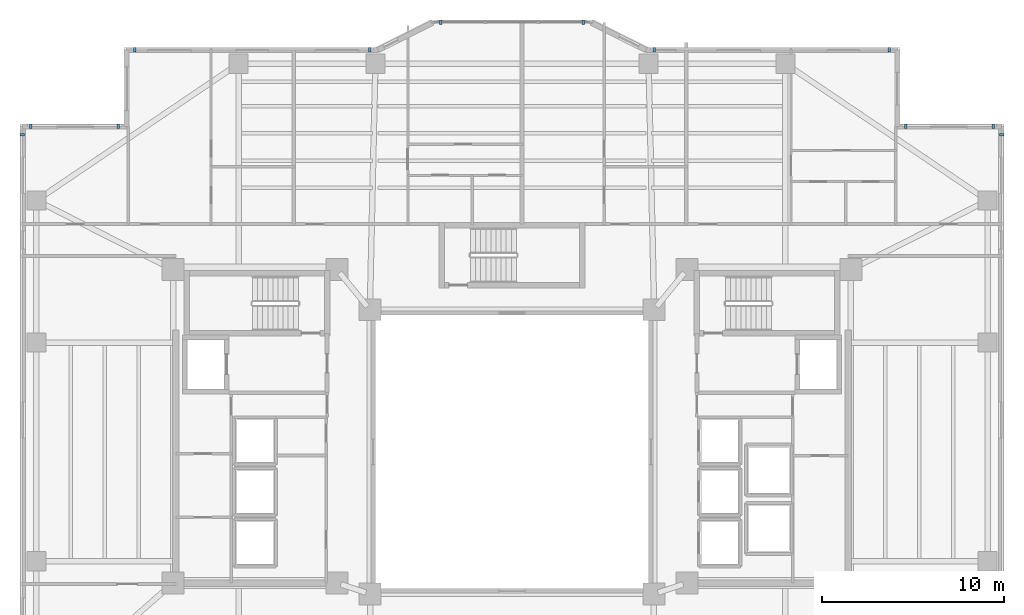
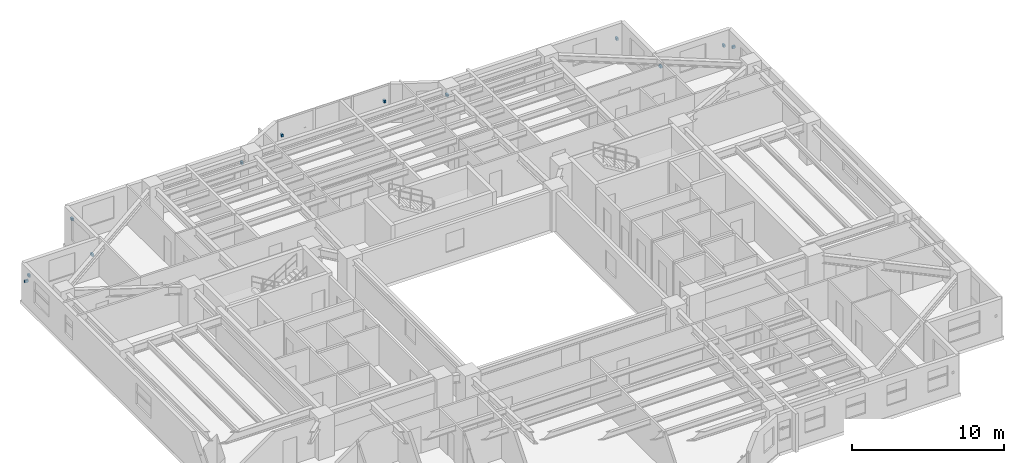
# One storey, part 13 of 18: 12 discrete accessories.
"""IFC4 building model written with IfcOpenShell, lengths in metres."""

from ifc_helpers import new_model, si_unit, direction, frame, origin, origin_2d, place, context, subcontext, project, spatial, rectangle, extrude, material, type_object, element, save


model = new_model("IFC4")

# Units and contexts
model_context = context("Model", 3, precision=1e-05, world=origin(), true_north=direction((0.0, 1.0)))
body_context = subcontext(model_context, "Body", "Model", "MODEL_VIEW")
ifc_project = project(units=[si_unit("LENGTHUNIT", "METRE"), si_unit("AREAUNIT", "SQUARE_METRE"), si_unit("VOLUMEUNIT", "CUBIC_METRE"), si_unit("PLANEANGLEUNIT", "RADIAN"), si_unit("MASSUNIT", "GRAM", prefix="KILO")], contexts=[model_context])

# Site, building, storey
site_placement = place(None, origin())
site = spatial("IfcSite", under=ifc_project, at=site_placement, CompositionType="ELEMENT")
building_placement = place(site_placement, origin())
building = spatial("IfcBuilding", under=site, at=building_placement, Name="Tarnavaz Court Tower", CompositionType="ELEMENT")
storey_placement = place(building_placement, frame((0.0, 0.0, 101.75)))
storey = spatial("IfcBuildingStorey", under=building, at=storey_placement, Name="L27", CompositionType="ELEMENT", Elevation=101.75)

# Discrete accessories
ifc_material = material(Name="Anodised Aluminium 6063-T6", Category="aluminium")
discrete_accessory_type = type_object("IfcDiscreteAccessoryType", Name="DA-BRKT-ALU", PredefinedType="BRACKET", material=ifc_material)
for number, where, z_axis, x_axis, name in (
    (1, (-26.8701171875, 17.39990234375, 1.75), (0.0, 0.0, 1.0), (0.0, 1.0, 0.0), "L27 Baguette Outrigger Bracket FBG02-2"),
    (2, (-26.39990234375, 17.8701171875, 1.75), (0.0, 0.0, 1.0), (1.0, 0.0, 0.0), "L27 Baguette Outrigger Bracket FBG03-1"),
    (3, (-21.60009765625, 17.8701171875, 1.75), (0.0, 0.0, 1.0), (1.0, 0.0, 0.0), "L27 Baguette Outrigger Bracket FBG03-2"),
    (4, (-20.699951171875, 22.070068359375, 1.75), (0.0, 0.0, 1.0), (1.0, 0.0, 0.0), "L27 Baguette Outrigger Bracket FBG05-1"),
    (5, (-7.800048828125, 22.070068359375, 1.75), (0.0, 0.0, 1.0), (1.0, 0.0, 0.0), "L27 Baguette Outrigger Bracket FBG05-2"),
    (6, (-3.89990234375, 23.570068359375, 1.7001953125), (0.0, 0.0, 1.0), (1.0, 0.0, 0.0), "L27 Baguette Outrigger Bracket PBG7-1"),
    (7, (3.89990234375, 23.570068359375, 1.7001953125), (0.0, 0.0, 1.0), (1.0, 0.0, 0.0), "L27 Baguette Outrigger Bracket PBG7-2"),
    (8, (7.800048828125, 22.070068359375, 1.75), (0.0, 0.0, 1.0), (1.0, 0.0, 0.0), "L27 Baguette Outrigger Bracket FBG09-1"),
    (9, (20.699951171875, 22.070068359375, 1.75), (0.0, 0.0, 1.0), (1.0, 0.0, 0.0), "L27 Baguette Outrigger Bracket FBG09-2"),
    (10, (21.60009765625, 17.8701171875, 1.75), (0.0, 0.0, 1.0), (1.0, 0.0, 0.0), "L27 Baguette Outrigger Bracket FBG11-1"),
    (11, (26.39990234375, 17.8701171875, 1.75), (0.0, 0.0, 1.0), (1.0, 0.0, 0.0), "L27 Baguette Outrigger Bracket FBG11-2"),
    (12, (26.8701171875, 17.39990234375, 1.75), (0.0, 0.0, 1.0), (0.0, -1.0, 0.0), "L27 Baguette Outrigger Bracket FBG12-1"),
):
    element("IfcDiscreteAccessory", number, at=place(storey_placement, frame(where, z_axis=z_axis, x_axis=x_axis)), inside=storey, type_object=discrete_accessory_type, Name=name, PredefinedType="BRACKET", context=body_context, shape_type="SweptSolid", body=[
        extrude(rectangle(XDim=0.139892578125, YDim=0.239990234375, at=origin_2d()), origin(), (0.0, 0.0, 1.0), 0.199951171875),
    ])

save(model, "model.ifc")
